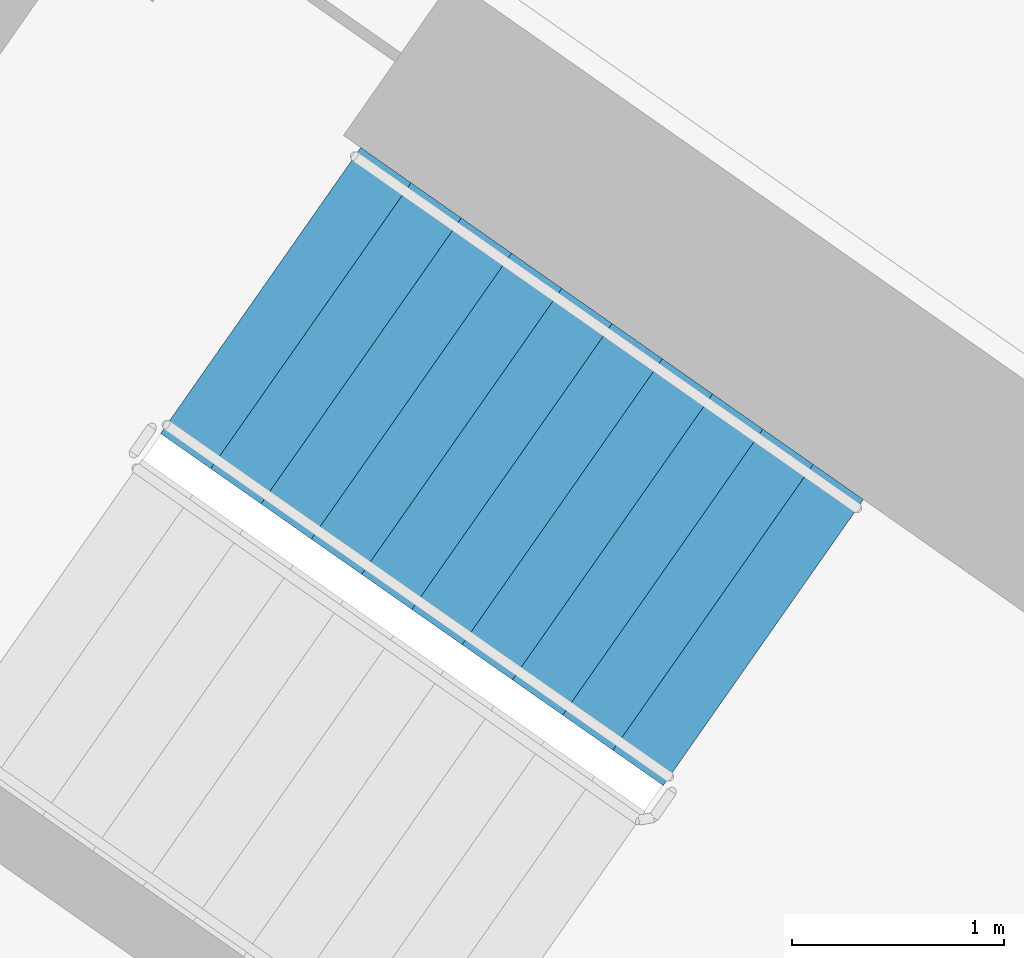
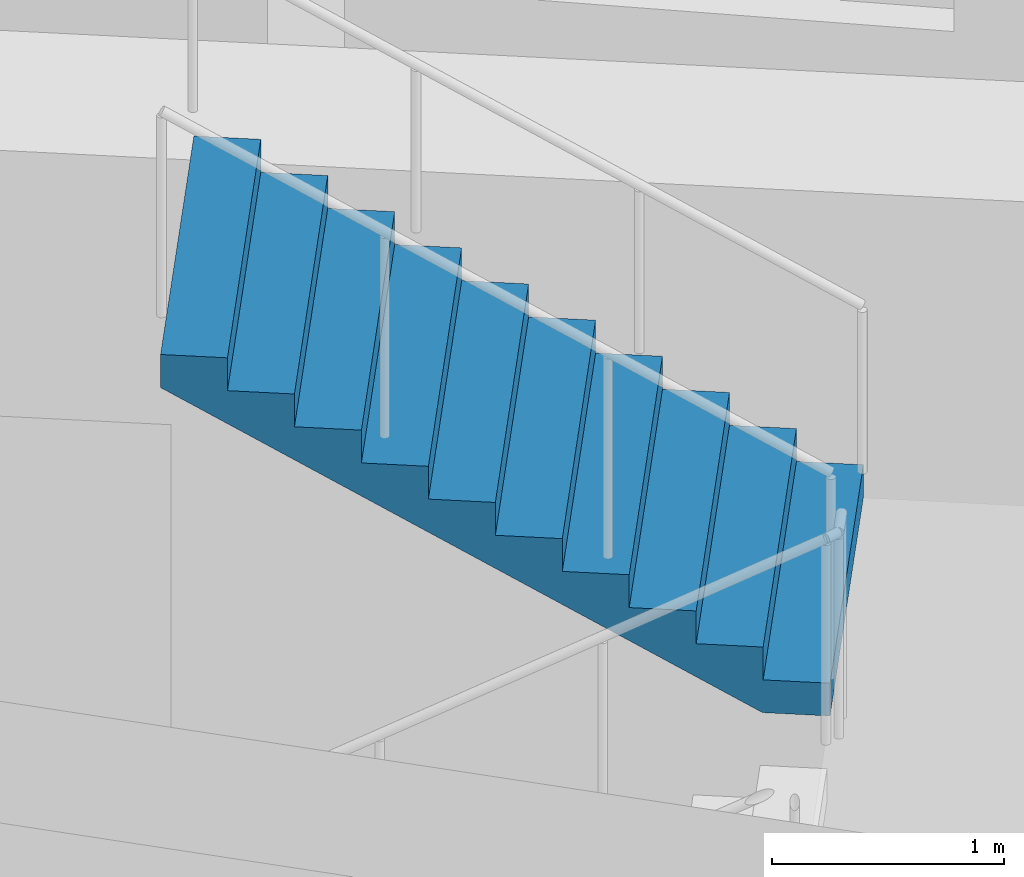
# One storey, part 15 of 30: 1 stair flight, 1 element without a shape of its own.
"""IFC4 building model written with IfcOpenShell, lengths in metres."""

from ifc_helpers import new_model, si_unit, direction, frame, origin, place, context, subcontext, project, spatial, faceted_brep, material, type_object, element, aggregate, save


model = new_model("IFC4")

# Units and contexts
model_context = context("Model", 3, precision=1e-05, world=origin(), true_north=direction((0.0, 1.0)))
body_context = subcontext(model_context, "Body", "Model", "MODEL_VIEW")
ifc_project = project(units=[si_unit("LENGTHUNIT", "METRE"), si_unit("AREAUNIT", "SQUARE_METRE"), si_unit("VOLUMEUNIT", "CUBIC_METRE"), si_unit("PLANEANGLEUNIT", "RADIAN"), si_unit("MASSUNIT", "GRAM", prefix="KILO")], contexts=[model_context])

# Site, building, storey
site_placement = place(None, origin())
site = spatial("IfcSite", under=ifc_project, at=site_placement, CompositionType="ELEMENT")
building_placement = place(site_placement, origin())
building = spatial("IfcBuilding", under=site, at=building_placement, Name="Qamariyya Broadcast Tower", CompositionType="ELEMENT")
storey_placement = place(building_placement, frame((0.0, 0.0, 67.10009765625)))
storey = spatial("IfcBuildingStorey", under=building, at=storey_placement, Name="L13", CompositionType="ELEMENT", Elevation=67.10009765625)

# Stair, stair flight
ifc_material = material(Name="Concrete C50/60", Category="concrete")
stair_type = type_object("IfcStairType", Name="Exit stair 22 risers of 173 mm", PredefinedType="HALF_TURN_STAIR", material=ifc_material)
stair_placement = place(storey_placement, origin())
stair = element("IfcStair", 1, at=stair_placement, inside=storey, type_object=stair_type, Name="L13 Stair W2", PredefinedType="HALF_TURN_STAIR")
stair_flight_type = type_object("IfcStairFlightType", Name="Exit stair flight 11 risers of 173 mm", PredefinedType="STRAIGHT", material=ifc_material)
stair_flight_placement = place(storey_placement, frame((-38.18310546875, -49.3486328125, 1.89990234375), z_axis=(0.0, 0.0, 1.0), x_axis=(-0.819152044289, 0.573576436351, 0.0)))
stair_flight = element("IfcStairFlight", 2, at=stair_flight_placement, type_object=stair_flight_type, Name="ST-W2 flight 2", NumberOfRisers=11, NumberOfTreads=10, PredefinedType="STRAIGHT", RiserHeight=0.172727273, TreadLength=0.29, context=body_context, shape_type="Brep", body=[
    faceted_brep([(0.0, 0.824951171875, 0.0), (0.0, 0.824951171875, 0.172607421875), (0.2900390625, 0.824951171875, 0.172607421875), (0.2900390625, 0.824951171875, 0.345458984375), (0.580078125, 0.824951171875, 0.345458984375), (0.580078125, 0.824951171875, 0.51806640625), (0.8701171875, 0.824951171875, 0.51806640625), (0.8701171875, 0.824951171875, 0.69091796875), (1.159912109375, 0.824951171875, 0.69091796875), (1.159912109375, 0.824951171875, 0.863525390625), (1.449951171875, 0.824951171875, 0.863525390625), (1.449951171875, 0.824951171875, 1.036376953125), (1.739990234375, 0.824951171875, 1.036376953125), (1.739990234375, 0.824951171875, 1.208984375), (2.030029296875, 0.824951171875, 1.208984375), (2.030029296875, 0.824951171875, 1.3818359375), (2.320068359375, 0.824951171875, 1.3818359375), (2.320068359375, 0.824951171875, 1.554443359375), (2.610107421875, 0.824951171875, 1.554443359375), (2.610107421875, 0.824951171875, 1.727294921875), (2.89990234375, 0.824951171875, 1.727294921875), (2.89990234375, 0.824951171875, 1.552734375), (0.29296875, 0.824951171875, 0.0), (0.29296875, -0.824951171875, 0.0), (2.89990234375, -0.824951171875, 1.552734375), (2.89990234375, -0.824951171875, 1.727294921875), (2.610107421875, -0.824951171875, 1.727294921875), (2.610107421875, -0.824951171875, 1.554443359375), (2.320068359375, -0.824951171875, 1.554443359375), (2.320068359375, -0.824951171875, 1.3818359375), (2.030029296875, -0.824951171875, 1.3818359375), (2.030029296875, -0.824951171875, 1.208984375), (1.739990234375, -0.824951171875, 1.208984375), (1.739990234375, -0.824951171875, 1.036376953125), (1.449951171875, -0.824951171875, 1.036376953125), (1.449951171875, -0.824951171875, 0.863525390625), (1.159912109375, -0.824951171875, 0.863525390625), (1.159912109375, -0.824951171875, 0.69091796875), (0.8701171875, -0.824951171875, 0.69091796875), (0.8701171875, -0.824951171875, 0.51806640625), (0.580078125, -0.824951171875, 0.51806640625), (0.580078125, -0.824951171875, 0.345458984375), (0.2900390625, -0.824951171875, 0.345458984375), (0.2900390625, -0.824951171875, 0.172607421875), (0.0, -0.824951171875, 0.172607421875), (0.0, -0.824951171875, 0.0), (0.0, 0.10009765625, 0.0), (0.0, 0.086669921875, 0.0), (0.0, 0.0732421875, 0.0), (0.0, 0.06005859375, 0.0), (0.0, 0.046630859375, 0.0), (0.0, 0.033447265625, 0.0), (0.0, 0.02001953125, 0.0), (0.0, 0.006591796875, 0.0), (0.0, -0.006591796875, 0.0), (0.0, -0.02001953125, 0.0), (0.0, -0.033447265625, 0.0), (0.0, -0.046630859375, 0.0), (0.0, -0.06005859375, 0.0), (0.0, -0.0732421875, 0.0), (0.0, -0.086669921875, 0.0), (0.0, -0.10009765625, 0.0), (0.0, -0.10009765625, 0.172607421875), (0.0, -0.086669921875, 0.172607421875), (0.0, -0.0732421875, 0.172607421875), (0.0, -0.06005859375, 0.172607421875), (0.0, -0.046630859375, 0.172607421875), (0.0, -0.033447265625, 0.172607421875), (0.0, -0.02001953125, 0.172607421875), (0.0, -0.006591796875, 0.172607421875), (0.0, 0.006591796875, 0.172607421875), (0.0, 0.02001953125, 0.172607421875), (0.0, 0.033447265625, 0.172607421875), (0.0, 0.046630859375, 0.172607421875), (0.0, 0.06005859375, 0.172607421875), (0.0, 0.0732421875, 0.172607421875), (0.0, 0.086669921875, 0.172607421875), (0.0, 0.10009765625, 0.172607421875), (0.2900390625, -0.10009765625, 0.172607421875), (0.2900390625, -0.086669921875, 0.172607421875), (0.2900390625, -0.0732421875, 0.172607421875), (0.2900390625, -0.06005859375, 0.172607421875), (0.2900390625, -0.046630859375, 0.172607421875), (0.2900390625, -0.033447265625, 0.172607421875), (0.2900390625, -0.02001953125, 0.172607421875), (0.2900390625, -0.006591796875, 0.172607421875), (0.2900390625, 0.006591796875, 0.172607421875), (0.2900390625, 0.02001953125, 0.172607421875), (0.2900390625, 0.033447265625, 0.172607421875), (0.2900390625, 0.046630859375, 0.172607421875), (0.2900390625, 0.06005859375, 0.172607421875), (0.2900390625, 0.0732421875, 0.172607421875), (0.2900390625, 0.086669921875, 0.172607421875), (0.2900390625, 0.10009765625, 0.172607421875), (0.2900390625, -0.10009765625, 0.345458984375), (0.2900390625, -0.086669921875, 0.345458984375), (0.2900390625, -0.0732421875, 0.345458984375), (0.2900390625, -0.06005859375, 0.345458984375), (0.2900390625, -0.046630859375, 0.345458984375), (0.2900390625, -0.033447265625, 0.345458984375), (0.2900390625, -0.02001953125, 0.345458984375), (0.2900390625, -0.006591796875, 0.345458984375), (0.2900390625, 0.006591796875, 0.345458984375), (0.2900390625, 0.02001953125, 0.345458984375), (0.2900390625, 0.033447265625, 0.345458984375), (0.2900390625, 0.046630859375, 0.345458984375), (0.2900390625, 0.06005859375, 0.345458984375), (0.2900390625, 0.0732421875, 0.345458984375), (0.2900390625, 0.086669921875, 0.345458984375), (0.2900390625, 0.10009765625, 0.345458984375), (0.580078125, -0.10009765625, 0.345458984375), (0.580078125, -0.086669921875, 0.345458984375), (0.580078125, -0.0732421875, 0.345458984375), (0.580078125, -0.06005859375, 0.345458984375), (0.580078125, -0.046630859375, 0.345458984375), (0.580078125, -0.033447265625, 0.345458984375), (0.580078125, -0.02001953125, 0.345458984375), (0.580078125, -0.006591796875, 0.345458984375), (0.580078125, 0.006591796875, 0.345458984375), (0.580078125, 0.02001953125, 0.345458984375), (0.580078125, 0.033447265625, 0.345458984375), (0.580078125, 0.046630859375, 0.345458984375), (0.580078125, 0.06005859375, 0.345458984375), (0.580078125, 0.0732421875, 0.345458984375), (0.580078125, 0.086669921875, 0.345458984375), (0.580078125, 0.10009765625, 0.345458984375), (0.580078125, -0.10009765625, 0.51806640625), (0.580078125, -0.086669921875, 0.51806640625), (0.580078125, -0.0732421875, 0.51806640625), (0.580078125, -0.06005859375, 0.51806640625), (0.580078125, -0.046630859375, 0.51806640625), (0.580078125, -0.033447265625, 0.51806640625), (0.580078125, -0.02001953125, 0.51806640625), (0.580078125, -0.006591796875, 0.51806640625), (0.580078125, 0.006591796875, 0.51806640625), (0.580078125, 0.02001953125, 0.51806640625), (0.580078125, 0.033447265625, 0.51806640625), (0.580078125, 0.046630859375, 0.51806640625), (0.580078125, 0.06005859375, 0.51806640625), (0.580078125, 0.0732421875, 0.51806640625), (0.580078125, 0.086669921875, 0.51806640625), (0.580078125, 0.10009765625, 0.51806640625), (0.8701171875, -0.10009765625, 0.51806640625), (0.8701171875, -0.086669921875, 0.51806640625), (0.8701171875, -0.0732421875, 0.51806640625), (0.8701171875, -0.06005859375, 0.51806640625), (0.8701171875, -0.046630859375, 0.51806640625), (0.8701171875, -0.033447265625, 0.51806640625), (0.8701171875, -0.02001953125, 0.51806640625), (0.8701171875, -0.006591796875, 0.51806640625), (0.8701171875, 0.006591796875, 0.51806640625), (0.8701171875, 0.02001953125, 0.51806640625), (0.8701171875, 0.033447265625, 0.51806640625), (0.8701171875, 0.046630859375, 0.51806640625), (0.8701171875, 0.06005859375, 0.51806640625), (0.8701171875, 0.0732421875, 0.51806640625), (0.8701171875, 0.086669921875, 0.51806640625), (0.8701171875, 0.10009765625, 0.51806640625), (0.8701171875, -0.10009765625, 0.69091796875), (0.8701171875, -0.086669921875, 0.69091796875), (0.8701171875, -0.0732421875, 0.69091796875), (0.8701171875, -0.06005859375, 0.69091796875), (0.8701171875, -0.046630859375, 0.69091796875), (0.8701171875, -0.033447265625, 0.69091796875), (0.8701171875, -0.02001953125, 0.69091796875), (0.8701171875, -0.006591796875, 0.69091796875), (0.8701171875, 0.006591796875, 0.69091796875), (0.8701171875, 0.02001953125, 0.69091796875), (0.8701171875, 0.033447265625, 0.69091796875), (0.8701171875, 0.046630859375, 0.69091796875), (0.8701171875, 0.06005859375, 0.69091796875), (0.8701171875, 0.0732421875, 0.69091796875), (0.8701171875, 0.086669921875, 0.69091796875), (0.8701171875, 0.10009765625, 0.69091796875), (1.159912109375, -0.10009765625, 0.69091796875), (1.159912109375, -0.086669921875, 0.69091796875), (1.159912109375, -0.0732421875, 0.69091796875), (1.159912109375, -0.06005859375, 0.69091796875), (1.159912109375, -0.046630859375, 0.69091796875), (1.159912109375, -0.033447265625, 0.69091796875), (1.159912109375, -0.02001953125, 0.69091796875), (1.159912109375, -0.006591796875, 0.69091796875), (1.159912109375, 0.006591796875, 0.69091796875), (1.159912109375, 0.02001953125, 0.69091796875), (1.159912109375, 0.033447265625, 0.69091796875), (1.159912109375, 0.046630859375, 0.69091796875), (1.159912109375, 0.06005859375, 0.69091796875), (1.159912109375, 0.0732421875, 0.69091796875), (1.159912109375, 0.086669921875, 0.69091796875), (1.159912109375, 0.10009765625, 0.69091796875), (1.159912109375, -0.10009765625, 0.863525390625), (1.159912109375, -0.086669921875, 0.863525390625), (1.159912109375, -0.0732421875, 0.863525390625), (1.159912109375, -0.06005859375, 0.863525390625), (1.159912109375, -0.046630859375, 0.863525390625), (1.159912109375, -0.033447265625, 0.863525390625), (1.159912109375, -0.02001953125, 0.863525390625), (1.159912109375, -0.006591796875, 0.863525390625), (1.159912109375, 0.006591796875, 0.863525390625), (1.159912109375, 0.02001953125, 0.863525390625), (1.159912109375, 0.033447265625, 0.863525390625), (1.159912109375, 0.046630859375, 0.863525390625), (1.159912109375, 0.06005859375, 0.863525390625), (1.159912109375, 0.0732421875, 0.863525390625), (1.159912109375, 0.086669921875, 0.863525390625), (1.159912109375, 0.10009765625, 0.863525390625), (1.449951171875, -0.10009765625, 0.863525390625), (1.449951171875, -0.086669921875, 0.863525390625), (1.449951171875, -0.0732421875, 0.863525390625), (1.449951171875, -0.06005859375, 0.863525390625), (1.449951171875, -0.046630859375, 0.863525390625), (1.449951171875, -0.033447265625, 0.863525390625), (1.449951171875, -0.02001953125, 0.863525390625), (1.449951171875, -0.006591796875, 0.863525390625), (1.449951171875, 0.006591796875, 0.863525390625), (1.449951171875, 0.02001953125, 0.863525390625), (1.449951171875, 0.033447265625, 0.863525390625), (1.449951171875, 0.046630859375, 0.863525390625), (1.449951171875, 0.06005859375, 0.863525390625), (1.449951171875, 0.0732421875, 0.863525390625), (1.449951171875, 0.086669921875, 0.863525390625), (1.449951171875, 0.10009765625, 0.863525390625), (1.449951171875, -0.10009765625, 1.036376953125), (1.449951171875, -0.086669921875, 1.036376953125), (1.449951171875, -0.0732421875, 1.036376953125), (1.449951171875, -0.06005859375, 1.036376953125), (1.449951171875, -0.046630859375, 1.036376953125), (1.449951171875, -0.033447265625, 1.036376953125), (1.449951171875, -0.02001953125, 1.036376953125), (1.449951171875, -0.006591796875, 1.036376953125), (1.449951171875, 0.006591796875, 1.036376953125), (1.449951171875, 0.02001953125, 1.036376953125), (1.449951171875, 0.033447265625, 1.036376953125), (1.449951171875, 0.046630859375, 1.036376953125), (1.449951171875, 0.06005859375, 1.036376953125), (1.449951171875, 0.0732421875, 1.036376953125), (1.449951171875, 0.086669921875, 1.036376953125), (1.449951171875, 0.10009765625, 1.036376953125), (1.739990234375, -0.10009765625, 1.036376953125), (1.739990234375, -0.086669921875, 1.036376953125), (1.739990234375, -0.0732421875, 1.036376953125), (1.739990234375, -0.06005859375, 1.036376953125), (1.739990234375, -0.046630859375, 1.036376953125), (1.739990234375, -0.033447265625, 1.036376953125), (1.739990234375, -0.02001953125, 1.036376953125), (1.739990234375, -0.006591796875, 1.036376953125), (1.739990234375, 0.006591796875, 1.036376953125), (1.739990234375, 0.02001953125, 1.036376953125), (1.739990234375, 0.033447265625, 1.036376953125), (1.739990234375, 0.046630859375, 1.036376953125), (1.739990234375, 0.06005859375, 1.036376953125), (1.739990234375, 0.0732421875, 1.036376953125), (1.739990234375, 0.086669921875, 1.036376953125), (1.739990234375, 0.10009765625, 1.036376953125), (1.739990234375, -0.10009765625, 1.208984375), (1.739990234375, -0.086669921875, 1.208984375), (1.739990234375, -0.0732421875, 1.208984375), (1.739990234375, -0.06005859375, 1.208984375), (1.739990234375, -0.046630859375, 1.208984375), (1.739990234375, -0.033447265625, 1.208984375), (1.739990234375, -0.02001953125, 1.208984375), (1.739990234375, -0.006591796875, 1.208984375), (1.739990234375, 0.006591796875, 1.208984375), (1.739990234375, 0.02001953125, 1.208984375), (1.739990234375, 0.033447265625, 1.208984375), (1.739990234375, 0.046630859375, 1.208984375), (1.739990234375, 0.06005859375, 1.208984375), (1.739990234375, 0.0732421875, 1.208984375), (1.739990234375, 0.086669921875, 1.208984375), (1.739990234375, 0.10009765625, 1.208984375), (2.030029296875, -0.10009765625, 1.208984375), (2.030029296875, -0.086669921875, 1.208984375), (2.030029296875, -0.0732421875, 1.208984375), (2.030029296875, -0.06005859375, 1.208984375), (2.030029296875, -0.046630859375, 1.208984375), (2.030029296875, -0.033447265625, 1.208984375), (2.030029296875, -0.02001953125, 1.208984375), (2.030029296875, -0.006591796875, 1.208984375), (2.030029296875, 0.006591796875, 1.208984375), (2.030029296875, 0.02001953125, 1.208984375), (2.030029296875, 0.033447265625, 1.208984375), (2.030029296875, 0.046630859375, 1.208984375), (2.030029296875, 0.06005859375, 1.208984375), (2.030029296875, 0.0732421875, 1.208984375), (2.030029296875, 0.086669921875, 1.208984375), (2.030029296875, 0.10009765625, 1.208984375), (2.030029296875, -0.10009765625, 1.3818359375), (2.030029296875, -0.086669921875, 1.3818359375), (2.030029296875, -0.0732421875, 1.3818359375), (2.030029296875, -0.06005859375, 1.3818359375), (2.030029296875, -0.046630859375, 1.3818359375), (2.030029296875, -0.033447265625, 1.3818359375), (2.030029296875, -0.02001953125, 1.3818359375), (2.030029296875, -0.006591796875, 1.3818359375), (2.030029296875, 0.006591796875, 1.3818359375), (2.030029296875, 0.02001953125, 1.3818359375), (2.030029296875, 0.033447265625, 1.3818359375), (2.030029296875, 0.046630859375, 1.3818359375), (2.030029296875, 0.06005859375, 1.3818359375), (2.030029296875, 0.0732421875, 1.3818359375), (2.030029296875, 0.086669921875, 1.3818359375), (2.030029296875, 0.10009765625, 1.3818359375), (2.320068359375, -0.10009765625, 1.3818359375), (2.320068359375, -0.086669921875, 1.3818359375), (2.320068359375, -0.0732421875, 1.3818359375), (2.320068359375, -0.06005859375, 1.3818359375), (2.320068359375, -0.046630859375, 1.3818359375), (2.320068359375, -0.033447265625, 1.3818359375), (2.320068359375, -0.02001953125, 1.3818359375), (2.320068359375, -0.006591796875, 1.3818359375), (2.320068359375, 0.006591796875, 1.3818359375), (2.320068359375, 0.02001953125, 1.3818359375), (2.320068359375, 0.033447265625, 1.3818359375), (2.320068359375, 0.046630859375, 1.3818359375), (2.320068359375, 0.06005859375, 1.3818359375), (2.320068359375, 0.0732421875, 1.3818359375), (2.320068359375, 0.086669921875, 1.3818359375), (2.320068359375, 0.10009765625, 1.3818359375), (2.320068359375, -0.10009765625, 1.554443359375), (2.320068359375, -0.086669921875, 1.554443359375), (2.320068359375, -0.0732421875, 1.554443359375), (2.320068359375, -0.06005859375, 1.554443359375), (2.320068359375, -0.046630859375, 1.554443359375), (2.320068359375, -0.033447265625, 1.554443359375), (2.320068359375, -0.02001953125, 1.554443359375), (2.320068359375, -0.006591796875, 1.554443359375), (2.320068359375, 0.006591796875, 1.554443359375), (2.320068359375, 0.02001953125, 1.554443359375), (2.320068359375, 0.033447265625, 1.554443359375), (2.320068359375, 0.046630859375, 1.554443359375), (2.320068359375, 0.06005859375, 1.554443359375), (2.320068359375, 0.0732421875, 1.554443359375), (2.320068359375, 0.086669921875, 1.554443359375), (2.320068359375, 0.10009765625, 1.554443359375), (2.610107421875, -0.10009765625, 1.554443359375), (2.610107421875, -0.086669921875, 1.554443359375), (2.610107421875, -0.0732421875, 1.554443359375), (2.610107421875, -0.06005859375, 1.554443359375), (2.610107421875, -0.046630859375, 1.554443359375), (2.610107421875, -0.033447265625, 1.554443359375), (2.610107421875, -0.02001953125, 1.554443359375), (2.610107421875, -0.006591796875, 1.554443359375), (2.610107421875, 0.006591796875, 1.554443359375), (2.610107421875, 0.02001953125, 1.554443359375), (2.610107421875, 0.033447265625, 1.554443359375), (2.610107421875, 0.046630859375, 1.554443359375), (2.610107421875, 0.06005859375, 1.554443359375), (2.610107421875, 0.0732421875, 1.554443359375), (2.610107421875, 0.086669921875, 1.554443359375), (2.610107421875, 0.10009765625, 1.554443359375), (2.610107421875, -0.10009765625, 1.727294921875), (2.610107421875, -0.086669921875, 1.727294921875), (2.610107421875, -0.0732421875, 1.727294921875), (2.610107421875, -0.06005859375, 1.727294921875), (2.610107421875, -0.046630859375, 1.727294921875), (2.610107421875, -0.033447265625, 1.727294921875), (2.610107421875, -0.02001953125, 1.727294921875), (2.610107421875, -0.006591796875, 1.727294921875), (2.610107421875, 0.006591796875, 1.727294921875), (2.610107421875, 0.02001953125, 1.727294921875), (2.610107421875, 0.033447265625, 1.727294921875), (2.610107421875, 0.046630859375, 1.727294921875), (2.610107421875, 0.06005859375, 1.727294921875), (2.610107421875, 0.0732421875, 1.727294921875), (2.610107421875, 0.086669921875, 1.727294921875), (2.610107421875, 0.10009765625, 1.727294921875), (2.89990234375, -0.10009765625, 1.727294921875), (2.89990234375, -0.086669921875, 1.727294921875), (2.89990234375, -0.0732421875, 1.727294921875), (2.89990234375, -0.06005859375, 1.727294921875), (2.89990234375, -0.046630859375, 1.727294921875), (2.89990234375, -0.033447265625, 1.727294921875), (2.89990234375, -0.02001953125, 1.727294921875), (2.89990234375, -0.006591796875, 1.727294921875), (2.89990234375, 0.006591796875, 1.727294921875), (2.89990234375, 0.02001953125, 1.727294921875), (2.89990234375, 0.033447265625, 1.727294921875), (2.89990234375, 0.046630859375, 1.727294921875), (2.89990234375, 0.06005859375, 1.727294921875), (2.89990234375, 0.0732421875, 1.727294921875), (2.89990234375, 0.086669921875, 1.727294921875), (2.89990234375, 0.10009765625, 1.727294921875), (2.89990234375, -0.10009765625, 1.552734375), (2.89990234375, -0.086669921875, 1.552734375), (2.89990234375, -0.0732421875, 1.552734375), (2.89990234375, -0.06005859375, 1.552734375), (2.89990234375, -0.046630859375, 1.552734375), (2.89990234375, -0.033447265625, 1.552734375), (2.89990234375, -0.02001953125, 1.552734375), (2.89990234375, -0.006591796875, 1.552734375), (2.89990234375, 0.006591796875, 1.552734375), (2.89990234375, 0.02001953125, 1.552734375), (2.89990234375, 0.033447265625, 1.552734375), (2.89990234375, 0.046630859375, 1.552734375), (2.89990234375, 0.06005859375, 1.552734375), (2.89990234375, 0.0732421875, 1.552734375), (2.89990234375, 0.086669921875, 1.552734375), (2.89990234375, 0.10009765625, 1.552734375), (0.29296875, -0.10009765625, 0.0), (0.29296875, -0.086669921875, 0.0), (0.29296875, -0.0732421875, 0.0), (0.29296875, -0.06005859375, 0.0), (0.29296875, -0.046630859375, 0.0), (0.29296875, -0.033447265625, 0.0), (0.29296875, -0.02001953125, 0.0), (0.29296875, -0.006591796875, 0.0), (0.29296875, 0.006591796875, 0.0), (0.29296875, 0.02001953125, 0.0), (0.29296875, 0.033447265625, 0.0), (0.29296875, 0.046630859375, 0.0), (0.29296875, 0.06005859375, 0.0), (0.29296875, 0.0732421875, 0.0), (0.29296875, 0.086669921875, 0.0), (0.29296875, 0.10009765625, 0.0)], [[[0, 1, 2, 3, 4, 5, 6, 7, 8, 9, 10, 11, 12, 13, 14, 15, 16, 17, 18, 19, 20, 21, 22]], [[23, 24, 25, 26, 27, 28, 29, 30, 31, 32, 33, 34, 35, 36, 37, 38, 39, 40, 41, 42, 43, 44, 45]], [[0, 46, 47, 48, 49, 50, 51, 52, 53, 54, 55, 56, 57, 58, 59, 60, 61, 45, 44, 62, 63, 64, 65, 66, 67, 68, 69, 70, 71, 72, 73, 74, 75, 76, 77, 1]], [[1, 77, 76, 75, 74, 73, 72, 71, 70, 69, 68, 67, 66, 65, 64, 63, 62, 44, 43, 78, 79, 80, 81, 82, 83, 84, 85, 86, 87, 88, 89, 90, 91, 92, 93, 2]], [[2, 93, 92, 91, 90, 89, 88, 87, 86, 85, 84, 83, 82, 81, 80, 79, 78, 43, 42, 94, 95, 96, 97, 98, 99, 100, 101, 102, 103, 104, 105, 106, 107, 108, 109, 3]], [[3, 109, 108, 107, 106, 105, 104, 103, 102, 101, 100, 99, 98, 97, 96, 95, 94, 42, 41, 110, 111, 112, 113, 114, 115, 116, 117, 118, 119, 120, 121, 122, 123, 124, 125, 4]], [[4, 125, 124, 123, 122, 121, 120, 119, 118, 117, 116, 115, 114, 113, 112, 111, 110, 41, 40, 126, 127, 128, 129, 130, 131, 132, 133, 134, 135, 136, 137, 138, 139, 140, 141, 5]], [[5, 141, 140, 139, 138, 137, 136, 135, 134, 133, 132, 131, 130, 129, 128, 127, 126, 40, 39, 142, 143, 144, 145, 146, 147, 148, 149, 150, 151, 152, 153, 154, 155, 156, 157, 6]], [[6, 157, 156, 155, 154, 153, 152, 151, 150, 149, 148, 147, 146, 145, 144, 143, 142, 39, 38, 158, 159, 160, 161, 162, 163, 164, 165, 166, 167, 168, 169, 170, 171, 172, 173, 7]], [[7, 173, 172, 171, 170, 169, 168, 167, 166, 165, 164, 163, 162, 161, 160, 159, 158, 38, 37, 174, 175, 176, 177, 178, 179, 180, 181, 182, 183, 184, 185, 186, 187, 188, 189, 8]], [[8, 189, 188, 187, 186, 185, 184, 183, 182, 181, 180, 179, 178, 177, 176, 175, 174, 37, 36, 190, 191, 192, 193, 194, 195, 196, 197, 198, 199, 200, 201, 202, 203, 204, 205, 9]], [[9, 205, 204, 203, 202, 201, 200, 199, 198, 197, 196, 195, 194, 193, 192, 191, 190, 36, 35, 206, 207, 208, 209, 210, 211, 212, 213, 214, 215, 216, 217, 218, 219, 220, 221, 10]], [[10, 221, 220, 219, 218, 217, 216, 215, 214, 213, 212, 211, 210, 209, 208, 207, 206, 35, 34, 222, 223, 224, 225, 226, 227, 228, 229, 230, 231, 232, 233, 234, 235, 236, 237, 11]], [[11, 237, 236, 235, 234, 233, 232, 231, 230, 229, 228, 227, 226, 225, 224, 223, 222, 34, 33, 238, 239, 240, 241, 242, 243, 244, 245, 246, 247, 248, 249, 250, 251, 252, 253, 12]], [[12, 253, 252, 251, 250, 249, 248, 247, 246, 245, 244, 243, 242, 241, 240, 239, 238, 33, 32, 254, 255, 256, 257, 258, 259, 260, 261, 262, 263, 264, 265, 266, 267, 268, 269, 13]], [[13, 269, 268, 267, 266, 265, 264, 263, 262, 261, 260, 259, 258, 257, 256, 255, 254, 32, 31, 270, 271, 272, 273, 274, 275, 276, 277, 278, 279, 280, 281, 282, 283, 284, 285, 14]], [[14, 285, 284, 283, 282, 281, 280, 279, 278, 277, 276, 275, 274, 273, 272, 271, 270, 31, 30, 286, 287, 288, 289, 290, 291, 292, 293, 294, 295, 296, 297, 298, 299, 300, 301, 15]], [[15, 301, 300, 299, 298, 297, 296, 295, 294, 293, 292, 291, 290, 289, 288, 287, 286, 30, 29, 302, 303, 304, 305, 306, 307, 308, 309, 310, 311, 312, 313, 314, 315, 316, 317, 16]], [[16, 317, 316, 315, 314, 313, 312, 311, 310, 309, 308, 307, 306, 305, 304, 303, 302, 29, 28, 318, 319, 320, 321, 322, 323, 324, 325, 326, 327, 328, 329, 330, 331, 332, 333, 17]], [[17, 333, 332, 331, 330, 329, 328, 327, 326, 325, 324, 323, 322, 321, 320, 319, 318, 28, 27, 334, 335, 336, 337, 338, 339, 340, 341, 342, 343, 344, 345, 346, 347, 348, 349, 18]], [[18, 349, 348, 347, 346, 345, 344, 343, 342, 341, 340, 339, 338, 337, 336, 335, 334, 27, 26, 350, 351, 352, 353, 354, 355, 356, 357, 358, 359, 360, 361, 362, 363, 364, 365, 19]], [[19, 365, 364, 363, 362, 361, 360, 359, 358, 357, 356, 355, 354, 353, 352, 351, 350, 26, 25, 366, 367, 368, 369, 370, 371, 372, 373, 374, 375, 376, 377, 378, 379, 380, 381, 20]], [[20, 381, 380, 379, 378, 377, 376, 375, 374, 373, 372, 371, 370, 369, 368, 367, 366, 25, 24, 382, 383, 384, 385, 386, 387, 388, 389, 390, 391, 392, 393, 394, 395, 396, 397, 21]], [[21, 397, 396, 395, 394, 393, 392, 391, 390, 389, 388, 387, 386, 385, 384, 383, 382, 24, 23, 398, 399, 400, 401, 402, 403, 404, 405, 406, 407, 408, 409, 410, 411, 412, 413, 22]], [[22, 413, 412, 411, 410, 409, 408, 407, 406, 405, 404, 403, 402, 401, 400, 399, 398, 23, 45, 61, 60, 59, 58, 57, 56, 55, 54, 53, 52, 51, 50, 49, 48, 47, 46, 0]]]),
])
aggregate(stair, [stair_flight])

save(model, "model.ifc")
